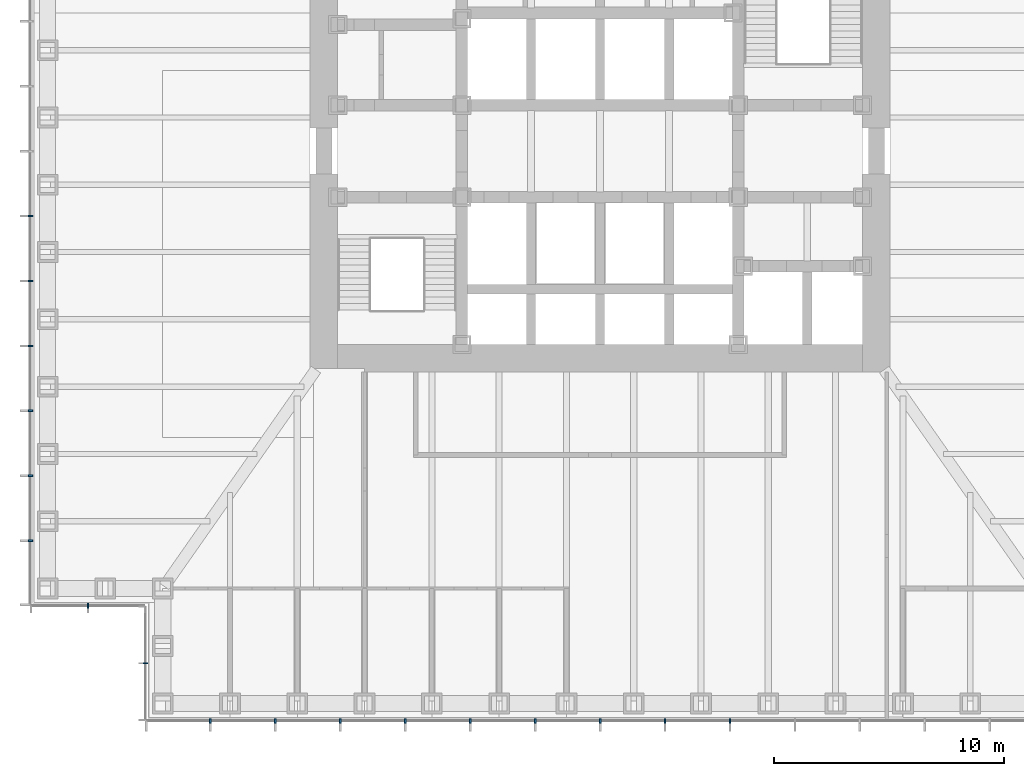
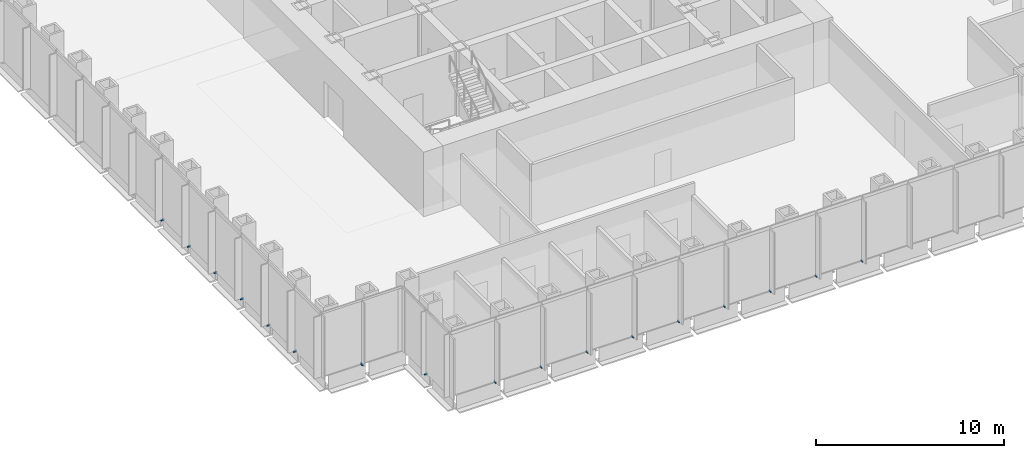
# One storey, part 11 of 16: 17 discrete accessories.
"""IFC4 building model written with IfcOpenShell, lengths in metres."""

from ifc_helpers import new_model, si_unit, direction, frame, origin, origin_2d, place, context, subcontext, project, spatial, rectangle, extrude, element, save


model = new_model("IFC4")

# Units and contexts
model_context = context("Model", 3, precision=1e-05, world=origin(), true_north=direction((0.0, 1.0)))
body_context = subcontext(model_context, "Body", "Model", "MODEL_VIEW")
ifc_project = project(units=[si_unit("LENGTHUNIT", "METRE"), si_unit("AREAUNIT", "SQUARE_METRE"), si_unit("VOLUMEUNIT", "CUBIC_METRE"), si_unit("PLANEANGLEUNIT", "RADIAN"), si_unit("MASSUNIT", "GRAM", prefix="KILO")], contexts=[model_context])

# Site, building, storey
site_placement = place(None, origin())
site = spatial("IfcSite", under=ifc_project, at=site_placement, CompositionType="ELEMENT")
building_placement = place(site_placement, origin())
building = spatial("IfcBuilding", under=site, at=building_placement, Name="Daluyong Arena Tower", CompositionType="ELEMENT")
storey_placement = place(building_placement, frame((0.0, 0.0, 93.699951171875)))
storey = spatial("IfcBuildingStorey", under=building, at=storey_placement, Name="L20", CompositionType="ELEMENT", Elevation=93.699951171875)

# Discrete accessories
for number, where, z_axis, x_axis, name in (
    (1, (39.071533203125, 55.25, -0.10009765625), (0.0, 0.0, 1.0), (1.0, 0.0, 0.0), "curtain wall L20 S anchor bracket 2"),
    (2, (41.892822265625, 55.25, -0.10009765625), (0.0, 0.0, 1.0), (1.0, 0.0, 0.0), "curtain wall L20 S anchor bracket 3"),
    (3, (44.71435546875, 55.25, -0.10009765625), (0.0, 0.0, 1.0), (1.0, 0.0, 0.0), "curtain wall L20 S anchor bracket 4"),
    (4, (47.53564453125, 55.25, -0.10009765625), (0.0, 0.0, 1.0), (1.0, 0.0, 0.0), "curtain wall L20 S anchor bracket 5"),
    (5, (50.357177734375, 55.25, -0.10009765625), (0.0, 0.0, 1.0), (1.0, 0.0, 0.0), "curtain wall L20 S anchor bracket 6"),
    (6, (53.178466796875, 55.25, -0.10009765625), (0.0, 0.0, 1.0), (1.0, 0.0, 0.0), "curtain wall L20 S anchor bracket 7"),
    (7, (56.0, 55.25, -0.10009765625), (0.0, 0.0, 1.0), (1.0, 0.0, 0.0), "curtain wall L20 S anchor bracket 8"),
    (8, (58.821533203125, 55.25, -0.10009765625), (0.0, 0.0, 1.0), (1.0, 0.0, 0.0), "curtain wall L20 S anchor bracket 9"),
    (9, (61.642822265625, 55.25, -0.10009765625), (0.0, 0.0, 1.0), (1.0, 0.0, 0.0), "curtain wall L20 S anchor bracket 10"),
    (10, (31.25, 77.178466796875, -0.10009765625), (0.0, 0.0, 1.0), (0.0, -1.0, 0.0), "curtain wall L20 W anchor bracket 9"),
    (11, (31.25, 74.357177734375, -0.10009765625), (0.0, 0.0, 1.0), (0.0, -1.0, 0.0), "curtain wall L20 W anchor bracket 10"),
    (12, (31.25, 71.53564453125, -0.10009765625), (0.0, 0.0, 1.0), (0.0, -1.0, 0.0), "curtain wall L20 W anchor bracket 11"),
    (13, (31.25, 68.71435546875, -0.10009765625), (0.0, 0.0, 1.0), (0.0, -1.0, 0.0), "curtain wall L20 W anchor bracket 12"),
    (14, (31.25, 65.892822265625, -0.10009765625), (0.0, 0.0, 1.0), (0.0, -1.0, 0.0), "curtain wall L20 W anchor bracket 13"),
    (15, (31.25, 63.071533203125, -0.10009765625), (0.0, 0.0, 1.0), (0.0, -1.0, 0.0), "curtain wall L20 W anchor bracket 14"),
):
    element("IfcDiscreteAccessory", number, at=place(storey_placement, frame(where, z_axis=z_axis, x_axis=x_axis)), inside=storey, Name=name, PredefinedType="BRACKET", context=body_context, shape_type="SweptSolid", body=[
        extrude(rectangle(XDim=0.080078125, YDim=0.199951171875, at=origin_2d()), origin(), (0.0, 0.0, 1.0), 0.10009765625),
    ])
for number, where, z_axis, x_axis, name in (
    (16, (33.75, 60.25, -0.10009765625), (0.0, 0.0, 1.0), (1.0, 0.0, 0.0), "curtain wall L20 SW-S anchor bracket 2"),
    (17, (36.25, 57.75, -0.10009765625), (0.0, 0.0, 1.0), (0.0, -1.0, 0.0), "curtain wall L20 SW-W anchor bracket 2"),
):
    element("IfcDiscreteAccessory", number, at=place(storey_placement, frame(where, z_axis=z_axis, x_axis=x_axis)), inside=storey, Name=name, PredefinedType="BRACKET", context=body_context, shape_type="SweptSolid", body=[
        extrude(rectangle(XDim=0.06005859375, YDim=0.199951171875, at=origin_2d()), origin(), (0.0, 0.0, 1.0), 0.10009765625),
    ])

save(model, "model.ifc")
